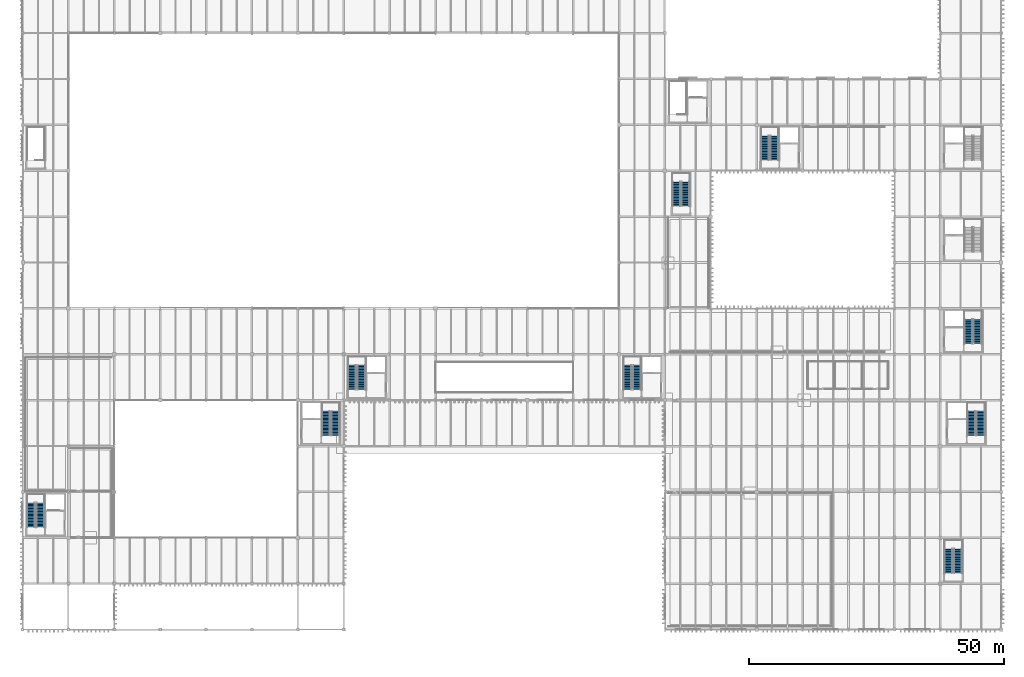
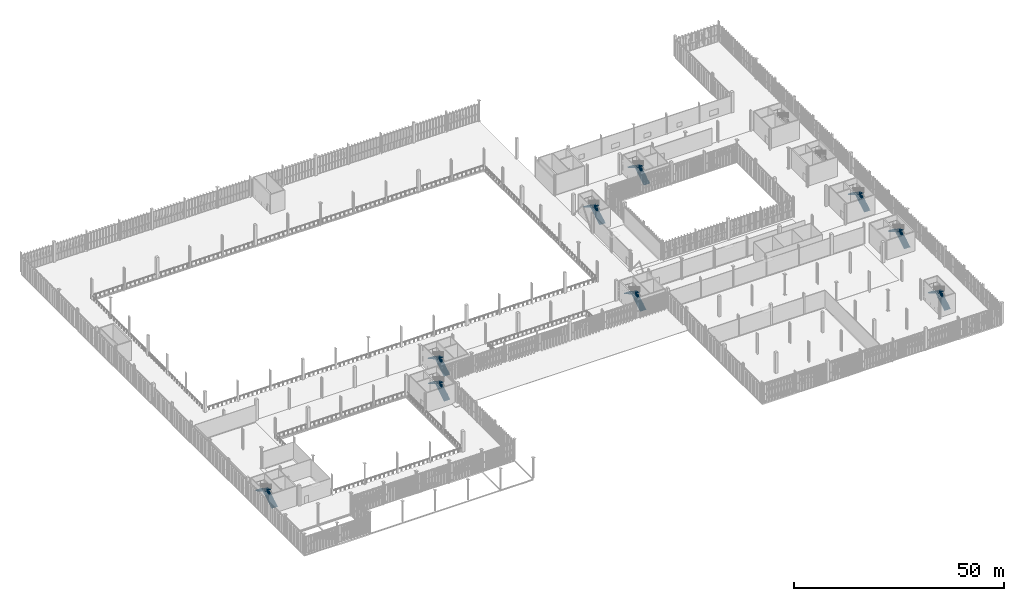
# One storey, part 184 of 211: 18 stair flights, 9 elements without a shape of their own.
"""IFC4 building model written with IfcOpenShell, lengths in metres."""

from ifc_helpers import new_model, si_unit, direction, frame, origin, place, context, subcontext, project, spatial, polyline, outline, extrude, material, type_object, element, aggregate, save


model = new_model("IFC4")

# Units and contexts
model_context = context("Model", 3, precision=1e-05, world=origin(), true_north=direction((0.0, 1.0)))
body_context = subcontext(model_context, "Body", "Model", "MODEL_VIEW")
ifc_project = project(units=[si_unit("LENGTHUNIT", "METRE"), si_unit("AREAUNIT", "SQUARE_METRE"), si_unit("VOLUMEUNIT", "CUBIC_METRE"), si_unit("PLANEANGLEUNIT", "RADIAN"), si_unit("MASSUNIT", "GRAM", prefix="KILO")], contexts=[model_context])

# Site, building, storey
site_placement = place(None, origin())
site = spatial("IfcSite", under=ifc_project, at=site_placement, CompositionType="ELEMENT")
building_placement = place(site_placement, origin())
building = spatial("IfcBuilding", under=site, at=building_placement, Name="Barlavento Convention Centre", CompositionType="ELEMENT")
storey_placement = place(building_placement, frame((0.0, 0.0, 6.0)))
storey = spatial("IfcBuildingStorey", under=building, at=storey_placement, Name="L01", CompositionType="ELEMENT", Elevation=6.0)

# Stair, stair flights
ifc_material = material(Name="Concrete C40/50", Category="concrete")
stair_type_1 = type_object("IfcStairType", Name="ARC-STR-DOG-1600", PredefinedType="HALF_TURN_STAIR", material=ifc_material)
stair_1_placement = place(storey_placement, origin())
stair_1 = element("IfcStair", 1, at=stair_1_placement, inside=storey, type_object=stair_type_1, Name="L01 ST12", PredefinedType="HALF_TURN_STAIR")
stair_flight_type_1 = type_object("IfcStairFlightType", Name="ARC-FLT-STR-1600", PredefinedType="STRAIGHT", material=ifc_material)
stair_flight_1_placement = place(storey_placement, frame((130.050048828125, 83.070068359375, 0.0), z_axis=(0.0, 0.0, 1.0), x_axis=(0.0, 1.0, 0.0)))
stair_flight_1 = element("IfcStairFlight", 2, at=stair_flight_1_placement, type_object=stair_flight_type_1, Name="ST12 flight 1", NumberOfRisers=18, NumberOfTreads=17, PredefinedType="STRAIGHT", RiserHeight=0.166666667, TreadLength=0.28, context=body_context, shape_type="SweptSolid", body=[
    extrude(outline(polyline([(0.0, 0.0), (0.0, 0.166748046875), (0.280029296875, 0.166748046875), (0.280029296875, 0.333251953125), (0.56005859375, 0.333251953125), (0.56005859375, 0.5), (0.840087890625, 0.5), (0.840087890625, 0.666748046875), (1.1201171875, 0.666748046875), (1.1201171875, 0.833251953125), (1.39990234375, 0.833251953125), (1.39990234375, 1.0), (1.679931640625, 1.0), (1.679931640625, 1.166748046875), (1.9599609375, 1.166748046875), (1.9599609375, 1.333251953125), (2.239990234375, 1.333251953125), (2.239990234375, 1.5), (2.52001953125, 1.5), (2.52001953125, 1.666748046875), (2.800048828125, 1.666748046875), (2.800048828125, 1.833251953125), (3.080078125, 1.833251953125), (3.080078125, 2.0), (3.360107421875, 2.0), (3.360107421875, 2.166748046875), (3.639892578125, 2.166748046875), (3.639892578125, 2.333251953125), (3.919921875, 2.333251953125), (3.919921875, 2.5), (4.199951171875, 2.5), (4.199951171875, 2.666748046875), (4.47998046875, 2.666748046875), (4.47998046875, 2.833251953125), (4.760009765625, 2.833251953125), (4.760009765625, 3.0), (4.760009765625, 2.658935546875), (0.29296875, 0.0), (0.0, 0.0)])), frame((0.0, 0.800048828125, 0.0), z_axis=(0.0, -1.0, 0.0), x_axis=(1.0, 0.0, 0.0)), (0.0, 0.0, 1.0), 1.60009765625),
])
stair_flight_2_placement = place(storey_placement, frame((128.25, 87.830078125, 3.0), z_axis=(0.0, 0.0, 1.0), x_axis=(0.0, -1.0, 0.0)))
stair_flight_2 = element("IfcStairFlight", 3, at=stair_flight_2_placement, type_object=stair_flight_type_1, Name="ST12 flight 2", NumberOfRisers=18, NumberOfTreads=17, PredefinedType="STRAIGHT", RiserHeight=0.166666667, TreadLength=0.28, context=body_context, shape_type="SweptSolid", body=[
    extrude(outline(polyline([(0.0, 0.0), (0.0, 0.166748046875), (0.280029296875, 0.166748046875), (0.280029296875, 0.333251953125), (0.56005859375, 0.333251953125), (0.56005859375, 0.5), (0.840087890625, 0.5), (0.840087890625, 0.666748046875), (1.1201171875, 0.666748046875), (1.1201171875, 0.833251953125), (1.39990234375, 0.833251953125), (1.39990234375, 1.0), (1.679931640625, 1.0), (1.679931640625, 1.166748046875), (1.9599609375, 1.166748046875), (1.9599609375, 1.333251953125), (2.239990234375, 1.333251953125), (2.239990234375, 1.5), (2.52001953125, 1.5), (2.52001953125, 1.666748046875), (2.800048828125, 1.666748046875), (2.800048828125, 1.833251953125), (3.080078125, 1.833251953125), (3.080078125, 2.0), (3.360107421875, 2.0), (3.360107421875, 2.166748046875), (3.639892578125, 2.166748046875), (3.639892578125, 2.333251953125), (3.919921875, 2.333251953125), (3.919921875, 2.5), (4.199951171875, 2.5), (4.199951171875, 2.666748046875), (4.47998046875, 2.666748046875), (4.47998046875, 2.833251953125), (4.760009765625, 2.833251953125), (4.760009765625, 3.0), (4.760009765625, 2.658935546875), (0.29296875, 0.0), (0.0, 0.0)])), frame((0.0, 0.800048828125, 0.0), z_axis=(0.0, -1.0, 0.0), x_axis=(1.0, 0.0, 0.0)), (0.0, 0.0, 1.0), 1.60009765625),
])
aggregate(stair_1, [stair_flight_1, stair_flight_2])

stair_type_2 = type_object("IfcStairType", Name="ARC-STR-DOG-1620", PredefinedType="HALF_TURN_STAIR", material=ifc_material)
stair_2_placement = place(storey_placement, origin())
stair_2 = element("IfcStair", 4, at=stair_2_placement, inside=storey, type_object=stair_type_2, Name="L01 ST01", PredefinedType="HALF_TURN_STAIR")
stair_flight_type_2 = type_object("IfcStairFlightType", Name="ARC-FLT-STR-1620", PredefinedType="STRAIGHT", material=ifc_material)
stair_flight_3_placement = place(storey_placement, frame((3.47998046875, 20.090087890625, 0.0), z_axis=(0.0, 0.0, 1.0), x_axis=(0.0, 1.0, 0.0)))
stair_flight_3 = element("IfcStairFlight", 5, at=stair_flight_3_placement, type_object=stair_flight_type_2, Name="ST01 flight 1", NumberOfRisers=18, NumberOfTreads=17, PredefinedType="STRAIGHT", RiserHeight=0.166666667, TreadLength=0.28, context=body_context, shape_type="SweptSolid", body=[
    extrude(outline(polyline([(0.0, 0.0), (0.0, 0.166748046875), (0.280029296875, 0.166748046875), (0.280029296875, 0.333251953125), (0.56005859375, 0.333251953125), (0.56005859375, 0.5), (0.840087890625, 0.5), (0.840087890625, 0.666748046875), (1.1201171875, 0.666748046875), (1.1201171875, 0.833251953125), (1.39990234375, 0.833251953125), (1.39990234375, 1.0), (1.679931640625, 1.0), (1.679931640625, 1.166748046875), (1.9599609375, 1.166748046875), (1.9599609375, 1.333251953125), (2.239990234375, 1.333251953125), (2.239990234375, 1.5), (2.52001953125, 1.5), (2.52001953125, 1.666748046875), (2.800048828125, 1.666748046875), (2.800048828125, 1.833251953125), (3.080078125, 1.833251953125), (3.080078125, 2.0), (3.360107421875, 2.0), (3.360107421875, 2.166748046875), (3.639892578125, 2.166748046875), (3.639892578125, 2.333251953125), (3.919921875, 2.333251953125), (3.919921875, 2.5), (4.199951171875, 2.5), (4.199951171875, 2.666748046875), (4.47998046875, 2.666748046875), (4.47998046875, 2.833251953125), (4.760009765625, 2.833251953125), (4.760009765625, 3.0), (4.760009765625, 2.658935546875), (0.29296875, 0.0), (0.0, 0.0)])), frame((0.0, 0.81005859375, 0.0), z_axis=(0.0, -1.0, 0.0), x_axis=(1.0, 0.0, 0.0)), (0.0, 0.0, 1.0), 1.6201171875),
])
stair_flight_4_placement = place(storey_placement, frame((1.659912109375, 24.85009765625, 3.0), z_axis=(0.0, 0.0, 1.0), x_axis=(0.0, -1.0, 0.0)))
stair_flight_4 = element("IfcStairFlight", 6, at=stair_flight_4_placement, type_object=stair_flight_type_2, Name="ST01 flight 2", NumberOfRisers=18, NumberOfTreads=17, PredefinedType="STRAIGHT", RiserHeight=0.166666667, TreadLength=0.28, context=body_context, shape_type="SweptSolid", body=[
    extrude(outline(polyline([(0.0, 0.0), (0.0, 0.166748046875), (0.280029296875, 0.166748046875), (0.280029296875, 0.333251953125), (0.56005859375, 0.333251953125), (0.56005859375, 0.5), (0.840087890625, 0.5), (0.840087890625, 0.666748046875), (1.1201171875, 0.666748046875), (1.1201171875, 0.833251953125), (1.39990234375, 0.833251953125), (1.39990234375, 1.0), (1.679931640625, 1.0), (1.679931640625, 1.166748046875), (1.9599609375, 1.166748046875), (1.9599609375, 1.333251953125), (2.239990234375, 1.333251953125), (2.239990234375, 1.5), (2.52001953125, 1.5), (2.52001953125, 1.666748046875), (2.800048828125, 1.666748046875), (2.800048828125, 1.833251953125), (3.080078125, 1.833251953125), (3.080078125, 2.0), (3.360107421875, 2.0), (3.360107421875, 2.166748046875), (3.639892578125, 2.166748046875), (3.639892578125, 2.333251953125), (3.919921875, 2.333251953125), (3.919921875, 2.5), (4.199951171875, 2.5), (4.199951171875, 2.666748046875), (4.47998046875, 2.666748046875), (4.47998046875, 2.833251953125), (4.760009765625, 2.833251953125), (4.760009765625, 3.0), (4.760009765625, 2.658935546875), (0.29296875, 0.0), (0.0, 0.0)])), frame((0.0, 0.81005859375, 0.0), z_axis=(0.0, -1.0, 0.0), x_axis=(1.0, 0.0, 0.0)), (0.0, 0.0, 1.0), 1.6201171875),
])
aggregate(stair_2, [stair_flight_3, stair_flight_4])

stair_3_placement = place(storey_placement, origin())
stair_3 = element("IfcStair", 7, at=stair_3_placement, inside=storey, type_object=stair_type_2, Name="L01 ST02", PredefinedType="HALF_TURN_STAIR")
stair_flight_5_placement = place(storey_placement, frame((61.340087890625, 38.090087890625, 0.0), z_axis=(0.0, 0.0, 1.0), x_axis=(0.0, 1.0, 0.0)))
stair_flight_5 = element("IfcStairFlight", 8, at=stair_flight_5_placement, type_object=stair_flight_type_2, Name="ST02 flight 1", NumberOfRisers=18, NumberOfTreads=17, PredefinedType="STRAIGHT", RiserHeight=0.166666667, TreadLength=0.28, context=body_context, shape_type="SweptSolid", body=[
    extrude(outline(polyline([(0.0, 0.0), (0.0, 0.166748046875), (0.280029296875, 0.166748046875), (0.280029296875, 0.333251953125), (0.56005859375, 0.333251953125), (0.56005859375, 0.5), (0.840087890625, 0.5), (0.840087890625, 0.666748046875), (1.1201171875, 0.666748046875), (1.1201171875, 0.833251953125), (1.39990234375, 0.833251953125), (1.39990234375, 1.0), (1.679931640625, 1.0), (1.679931640625, 1.166748046875), (1.9599609375, 1.166748046875), (1.9599609375, 1.333251953125), (2.239990234375, 1.333251953125), (2.239990234375, 1.5), (2.52001953125, 1.5), (2.52001953125, 1.666748046875), (2.800048828125, 1.666748046875), (2.800048828125, 1.833251953125), (3.080078125, 1.833251953125), (3.080078125, 2.0), (3.360107421875, 2.0), (3.360107421875, 2.166748046875), (3.639892578125, 2.166748046875), (3.639892578125, 2.333251953125), (3.919921875, 2.333251953125), (3.919921875, 2.5), (4.199951171875, 2.5), (4.199951171875, 2.666748046875), (4.47998046875, 2.666748046875), (4.47998046875, 2.833251953125), (4.760009765625, 2.833251953125), (4.760009765625, 3.0), (4.760009765625, 2.658935546875), (0.29296875, 0.0), (0.0, 0.0)])), frame((0.0, 0.81005859375, 0.0), z_axis=(0.0, -1.0, 0.0), x_axis=(1.0, 0.0, 0.0)), (0.0, 0.0, 1.0), 1.6201171875),
])
stair_flight_6_placement = place(storey_placement, frame((59.52001953125, 42.85009765625, 3.0), z_axis=(0.0, 0.0, 1.0), x_axis=(0.0, -1.0, 0.0)))
stair_flight_6 = element("IfcStairFlight", 9, at=stair_flight_6_placement, type_object=stair_flight_type_2, Name="ST02 flight 2", NumberOfRisers=18, NumberOfTreads=17, PredefinedType="STRAIGHT", RiserHeight=0.166666667, TreadLength=0.28, context=body_context, shape_type="SweptSolid", body=[
    extrude(outline(polyline([(0.0, 0.0), (0.0, 0.166748046875), (0.280029296875, 0.166748046875), (0.280029296875, 0.333251953125), (0.56005859375, 0.333251953125), (0.56005859375, 0.5), (0.840087890625, 0.5), (0.840087890625, 0.666748046875), (1.1201171875, 0.666748046875), (1.1201171875, 0.833251953125), (1.39990234375, 0.833251953125), (1.39990234375, 1.0), (1.679931640625, 1.0), (1.679931640625, 1.166748046875), (1.9599609375, 1.166748046875), (1.9599609375, 1.333251953125), (2.239990234375, 1.333251953125), (2.239990234375, 1.5), (2.52001953125, 1.5), (2.52001953125, 1.666748046875), (2.800048828125, 1.666748046875), (2.800048828125, 1.833251953125), (3.080078125, 1.833251953125), (3.080078125, 2.0), (3.360107421875, 2.0), (3.360107421875, 2.166748046875), (3.639892578125, 2.166748046875), (3.639892578125, 2.333251953125), (3.919921875, 2.333251953125), (3.919921875, 2.5), (4.199951171875, 2.5), (4.199951171875, 2.666748046875), (4.47998046875, 2.666748046875), (4.47998046875, 2.833251953125), (4.760009765625, 2.833251953125), (4.760009765625, 3.0), (4.760009765625, 2.658935546875), (0.29296875, 0.0), (0.0, 0.0)])), frame((0.0, 0.81005859375, 0.0), z_axis=(0.0, -1.0, 0.0), x_axis=(1.0, 0.0, 0.0)), (0.0, 0.0, 1.0), 1.6201171875),
])
aggregate(stair_3, [stair_flight_5, stair_flight_6])

stair_4_placement = place(storey_placement, origin())
stair_4 = element("IfcStair", 10, at=stair_4_placement, inside=storey, type_object=stair_type_2, Name="L01 ST03", PredefinedType="HALF_TURN_STAIR")
stair_flight_7_placement = place(storey_placement, frame((66.47998046875, 47.090087890625, 0.0), z_axis=(0.0, 0.0, 1.0), x_axis=(0.0, 1.0, 0.0)))
stair_flight_7 = element("IfcStairFlight", 11, at=stair_flight_7_placement, type_object=stair_flight_type_2, Name="ST03 flight 1", NumberOfRisers=18, NumberOfTreads=17, PredefinedType="STRAIGHT", RiserHeight=0.166666667, TreadLength=0.28, context=body_context, shape_type="SweptSolid", body=[
    extrude(outline(polyline([(0.0, 0.0), (0.0, 0.166748046875), (0.280029296875, 0.166748046875), (0.280029296875, 0.333251953125), (0.56005859375, 0.333251953125), (0.56005859375, 0.5), (0.840087890625, 0.5), (0.840087890625, 0.666748046875), (1.1201171875, 0.666748046875), (1.1201171875, 0.833251953125), (1.39990234375, 0.833251953125), (1.39990234375, 1.0), (1.679931640625, 1.0), (1.679931640625, 1.166748046875), (1.9599609375, 1.166748046875), (1.9599609375, 1.333251953125), (2.239990234375, 1.333251953125), (2.239990234375, 1.5), (2.52001953125, 1.5), (2.52001953125, 1.666748046875), (2.800048828125, 1.666748046875), (2.800048828125, 1.833251953125), (3.080078125, 1.833251953125), (3.080078125, 2.0), (3.360107421875, 2.0), (3.360107421875, 2.166748046875), (3.639892578125, 2.166748046875), (3.639892578125, 2.333251953125), (3.919921875, 2.333251953125), (3.919921875, 2.5), (4.199951171875, 2.5), (4.199951171875, 2.666748046875), (4.47998046875, 2.666748046875), (4.47998046875, 2.833251953125), (4.760009765625, 2.833251953125), (4.760009765625, 3.0), (4.760009765625, 2.658935546875), (0.29296875, 0.0), (0.0, 0.0)])), frame((0.0, 0.81005859375, 0.0), z_axis=(0.0, -1.0, 0.0), x_axis=(1.0, 0.0, 0.0)), (0.0, 0.0, 1.0), 1.6201171875),
])
stair_flight_8_placement = place(storey_placement, frame((64.659912109375, 51.85009765625, 3.0), z_axis=(0.0, 0.0, 1.0), x_axis=(0.0, -1.0, 0.0)))
stair_flight_8 = element("IfcStairFlight", 12, at=stair_flight_8_placement, type_object=stair_flight_type_2, Name="ST03 flight 2", NumberOfRisers=18, NumberOfTreads=17, PredefinedType="STRAIGHT", RiserHeight=0.166666667, TreadLength=0.28, context=body_context, shape_type="SweptSolid", body=[
    extrude(outline(polyline([(0.0, 0.0), (0.0, 0.166748046875), (0.280029296875, 0.166748046875), (0.280029296875, 0.333251953125), (0.56005859375, 0.333251953125), (0.56005859375, 0.5), (0.840087890625, 0.5), (0.840087890625, 0.666748046875), (1.1201171875, 0.666748046875), (1.1201171875, 0.833251953125), (1.39990234375, 0.833251953125), (1.39990234375, 1.0), (1.679931640625, 1.0), (1.679931640625, 1.166748046875), (1.9599609375, 1.166748046875), (1.9599609375, 1.333251953125), (2.239990234375, 1.333251953125), (2.239990234375, 1.5), (2.52001953125, 1.5), (2.52001953125, 1.666748046875), (2.800048828125, 1.666748046875), (2.800048828125, 1.833251953125), (3.080078125, 1.833251953125), (3.080078125, 2.0), (3.360107421875, 2.0), (3.360107421875, 2.166748046875), (3.639892578125, 2.166748046875), (3.639892578125, 2.333251953125), (3.919921875, 2.333251953125), (3.919921875, 2.5), (4.199951171875, 2.5), (4.199951171875, 2.666748046875), (4.47998046875, 2.666748046875), (4.47998046875, 2.833251953125), (4.760009765625, 2.833251953125), (4.760009765625, 3.0), (4.760009765625, 2.658935546875), (0.29296875, 0.0), (0.0, 0.0)])), frame((0.0, 0.81005859375, 0.0), z_axis=(0.0, -1.0, 0.0), x_axis=(1.0, 0.0, 0.0)), (0.0, 0.0, 1.0), 1.6201171875),
])
aggregate(stair_4, [stair_flight_7, stair_flight_8])

stair_5_placement = place(storey_placement, origin())
stair_5 = element("IfcStair", 13, at=stair_5_placement, inside=storey, type_object=stair_type_2, Name="L01 ST04", PredefinedType="HALF_TURN_STAIR")
stair_flight_9_placement = place(storey_placement, frame((120.47998046875, 47.090087890625, 0.0), z_axis=(0.0, 0.0, 1.0), x_axis=(0.0, 1.0, 0.0)))
stair_flight_9 = element("IfcStairFlight", 14, at=stair_flight_9_placement, type_object=stair_flight_type_2, Name="ST04 flight 1", NumberOfRisers=18, NumberOfTreads=17, PredefinedType="STRAIGHT", RiserHeight=0.166666667, TreadLength=0.28, context=body_context, shape_type="SweptSolid", body=[
    extrude(outline(polyline([(0.0, 0.0), (0.0, 0.166748046875), (0.280029296875, 0.166748046875), (0.280029296875, 0.333251953125), (0.56005859375, 0.333251953125), (0.56005859375, 0.5), (0.840087890625, 0.5), (0.840087890625, 0.666748046875), (1.1201171875, 0.666748046875), (1.1201171875, 0.833251953125), (1.39990234375, 0.833251953125), (1.39990234375, 1.0), (1.679931640625, 1.0), (1.679931640625, 1.166748046875), (1.9599609375, 1.166748046875), (1.9599609375, 1.333251953125), (2.239990234375, 1.333251953125), (2.239990234375, 1.5), (2.52001953125, 1.5), (2.52001953125, 1.666748046875), (2.800048828125, 1.666748046875), (2.800048828125, 1.833251953125), (3.080078125, 1.833251953125), (3.080078125, 2.0), (3.360107421875, 2.0), (3.360107421875, 2.166748046875), (3.639892578125, 2.166748046875), (3.639892578125, 2.333251953125), (3.919921875, 2.333251953125), (3.919921875, 2.5), (4.199951171875, 2.5), (4.199951171875, 2.666748046875), (4.47998046875, 2.666748046875), (4.47998046875, 2.833251953125), (4.760009765625, 2.833251953125), (4.760009765625, 3.0), (4.760009765625, 2.658935546875), (0.29296875, 0.0), (0.0, 0.0)])), frame((0.0, 0.81005859375, 0.0), z_axis=(0.0, -1.0, 0.0), x_axis=(1.0, 0.0, 0.0)), (0.0, 0.0, 1.0), 1.6201171875),
])
stair_flight_10_placement = place(storey_placement, frame((118.659912109375, 51.85009765625, 3.0), z_axis=(0.0, 0.0, 1.0), x_axis=(0.0, -1.0, 0.0)))
stair_flight_10 = element("IfcStairFlight", 15, at=stair_flight_10_placement, type_object=stair_flight_type_2, Name="ST04 flight 2", NumberOfRisers=18, NumberOfTreads=17, PredefinedType="STRAIGHT", RiserHeight=0.166666667, TreadLength=0.28, context=body_context, shape_type="SweptSolid", body=[
    extrude(outline(polyline([(0.0, 0.0), (0.0, 0.166748046875), (0.280029296875, 0.166748046875), (0.280029296875, 0.333251953125), (0.56005859375, 0.333251953125), (0.56005859375, 0.5), (0.840087890625, 0.5), (0.840087890625, 0.666748046875), (1.1201171875, 0.666748046875), (1.1201171875, 0.833251953125), (1.39990234375, 0.833251953125), (1.39990234375, 1.0), (1.679931640625, 1.0), (1.679931640625, 1.166748046875), (1.9599609375, 1.166748046875), (1.9599609375, 1.333251953125), (2.239990234375, 1.333251953125), (2.239990234375, 1.5), (2.52001953125, 1.5), (2.52001953125, 1.666748046875), (2.800048828125, 1.666748046875), (2.800048828125, 1.833251953125), (3.080078125, 1.833251953125), (3.080078125, 2.0), (3.360107421875, 2.0), (3.360107421875, 2.166748046875), (3.639892578125, 2.166748046875), (3.639892578125, 2.333251953125), (3.919921875, 2.333251953125), (3.919921875, 2.5), (4.199951171875, 2.5), (4.199951171875, 2.666748046875), (4.47998046875, 2.666748046875), (4.47998046875, 2.833251953125), (4.760009765625, 2.833251953125), (4.760009765625, 3.0), (4.760009765625, 2.658935546875), (0.29296875, 0.0), (0.0, 0.0)])), frame((0.0, 0.81005859375, 0.0), z_axis=(0.0, -1.0, 0.0), x_axis=(1.0, 0.0, 0.0)), (0.0, 0.0, 1.0), 1.6201171875),
])
aggregate(stair_5, [stair_flight_9, stair_flight_10])

stair_6_placement = place(storey_placement, origin())
stair_6 = element("IfcStair", 16, at=stair_6_placement, inside=storey, type_object=stair_type_2, Name="L01 ST05", PredefinedType="HALF_TURN_STAIR")
stair_flight_11_placement = place(storey_placement, frame((187.340087890625, 56.090087890625, 0.0), z_axis=(0.0, 0.0, 1.0), x_axis=(0.0, 1.0, 0.0)))
stair_flight_11 = element("IfcStairFlight", 17, at=stair_flight_11_placement, type_object=stair_flight_type_2, Name="ST05 flight 1", NumberOfRisers=18, NumberOfTreads=17, PredefinedType="STRAIGHT", RiserHeight=0.166666667, TreadLength=0.28, context=body_context, shape_type="SweptSolid", body=[
    extrude(outline(polyline([(0.0, 0.0), (0.0, 0.166748046875), (0.280029296875, 0.166748046875), (0.280029296875, 0.333251953125), (0.56005859375, 0.333251953125), (0.56005859375, 0.5), (0.840087890625, 0.5), (0.840087890625, 0.666748046875), (1.1201171875, 0.666748046875), (1.1201171875, 0.833251953125), (1.39990234375, 0.833251953125), (1.39990234375, 1.0), (1.679931640625, 1.0), (1.679931640625, 1.166748046875), (1.9599609375, 1.166748046875), (1.9599609375, 1.333251953125), (2.239990234375, 1.333251953125), (2.239990234375, 1.5), (2.52001953125, 1.5), (2.52001953125, 1.666748046875), (2.800048828125, 1.666748046875), (2.800048828125, 1.833251953125), (3.080078125, 1.833251953125), (3.080078125, 2.0), (3.360107421875, 2.0), (3.360107421875, 2.166748046875), (3.639892578125, 2.166748046875), (3.639892578125, 2.333251953125), (3.919921875, 2.333251953125), (3.919921875, 2.5), (4.199951171875, 2.5), (4.199951171875, 2.666748046875), (4.47998046875, 2.666748046875), (4.47998046875, 2.833251953125), (4.760009765625, 2.833251953125), (4.760009765625, 3.0), (4.760009765625, 2.658935546875), (0.29296875, 0.0), (0.0, 0.0)])), frame((0.0, 0.81005859375, 0.0), z_axis=(0.0, -1.0, 0.0), x_axis=(1.0, 0.0, 0.0)), (0.0, 0.0, 1.0), 1.6201171875),
])
stair_flight_12_placement = place(storey_placement, frame((185.52001953125, 60.85009765625, 3.0), z_axis=(0.0, 0.0, 1.0), x_axis=(0.0, -1.0, 0.0)))
stair_flight_12 = element("IfcStairFlight", 18, at=stair_flight_12_placement, type_object=stair_flight_type_2, Name="ST05 flight 2", NumberOfRisers=18, NumberOfTreads=17, PredefinedType="STRAIGHT", RiserHeight=0.166666667, TreadLength=0.28, context=body_context, shape_type="SweptSolid", body=[
    extrude(outline(polyline([(0.0, 0.0), (0.0, 0.166748046875), (0.280029296875, 0.166748046875), (0.280029296875, 0.333251953125), (0.56005859375, 0.333251953125), (0.56005859375, 0.5), (0.840087890625, 0.5), (0.840087890625, 0.666748046875), (1.1201171875, 0.666748046875), (1.1201171875, 0.833251953125), (1.39990234375, 0.833251953125), (1.39990234375, 1.0), (1.679931640625, 1.0), (1.679931640625, 1.166748046875), (1.9599609375, 1.166748046875), (1.9599609375, 1.333251953125), (2.239990234375, 1.333251953125), (2.239990234375, 1.5), (2.52001953125, 1.5), (2.52001953125, 1.666748046875), (2.800048828125, 1.666748046875), (2.800048828125, 1.833251953125), (3.080078125, 1.833251953125), (3.080078125, 2.0), (3.360107421875, 2.0), (3.360107421875, 2.166748046875), (3.639892578125, 2.166748046875), (3.639892578125, 2.333251953125), (3.919921875, 2.333251953125), (3.919921875, 2.5), (4.199951171875, 2.5), (4.199951171875, 2.666748046875), (4.47998046875, 2.666748046875), (4.47998046875, 2.833251953125), (4.760009765625, 2.833251953125), (4.760009765625, 3.0), (4.760009765625, 2.658935546875), (0.29296875, 0.0), (0.0, 0.0)])), frame((0.0, 0.81005859375, 0.0), z_axis=(0.0, -1.0, 0.0), x_axis=(1.0, 0.0, 0.0)), (0.0, 0.0, 1.0), 1.6201171875),
])
aggregate(stair_6, [stair_flight_11, stair_flight_12])

stair_7_placement = place(storey_placement, origin())
stair_7 = element("IfcStair", 19, at=stair_7_placement, inside=storey, type_object=stair_type_2, Name="L01 ST06", PredefinedType="HALF_TURN_STAIR")
stair_flight_13_placement = place(storey_placement, frame((187.93994140625, 38.090087890625, 0.0), z_axis=(0.0, 0.0, 1.0), x_axis=(0.0, 1.0, 0.0)))
stair_flight_13 = element("IfcStairFlight", 20, at=stair_flight_13_placement, type_object=stair_flight_type_2, Name="ST06 flight 1", NumberOfRisers=18, NumberOfTreads=17, PredefinedType="STRAIGHT", RiserHeight=0.166666667, TreadLength=0.28, context=body_context, shape_type="SweptSolid", body=[
    extrude(outline(polyline([(0.0, 0.0), (0.0, 0.166748046875), (0.280029296875, 0.166748046875), (0.280029296875, 0.333251953125), (0.56005859375, 0.333251953125), (0.56005859375, 0.5), (0.840087890625, 0.5), (0.840087890625, 0.666748046875), (1.1201171875, 0.666748046875), (1.1201171875, 0.833251953125), (1.39990234375, 0.833251953125), (1.39990234375, 1.0), (1.679931640625, 1.0), (1.679931640625, 1.166748046875), (1.9599609375, 1.166748046875), (1.9599609375, 1.333251953125), (2.239990234375, 1.333251953125), (2.239990234375, 1.5), (2.52001953125, 1.5), (2.52001953125, 1.666748046875), (2.800048828125, 1.666748046875), (2.800048828125, 1.833251953125), (3.080078125, 1.833251953125), (3.080078125, 2.0), (3.360107421875, 2.0), (3.360107421875, 2.166748046875), (3.639892578125, 2.166748046875), (3.639892578125, 2.333251953125), (3.919921875, 2.333251953125), (3.919921875, 2.5), (4.199951171875, 2.5), (4.199951171875, 2.666748046875), (4.47998046875, 2.666748046875), (4.47998046875, 2.833251953125), (4.760009765625, 2.833251953125), (4.760009765625, 3.0), (4.760009765625, 2.658935546875), (0.29296875, 0.0), (0.0, 0.0)])), frame((0.0, 0.81005859375, 0.0), z_axis=(0.0, -1.0, 0.0), x_axis=(1.0, 0.0, 0.0)), (0.0, 0.0, 1.0), 1.6201171875),
])
stair_flight_14_placement = place(storey_placement, frame((186.1201171875, 42.85009765625, 3.0), z_axis=(0.0, 0.0, 1.0), x_axis=(0.0, -1.0, 0.0)))
stair_flight_14 = element("IfcStairFlight", 21, at=stair_flight_14_placement, type_object=stair_flight_type_2, Name="ST06 flight 2", NumberOfRisers=18, NumberOfTreads=17, PredefinedType="STRAIGHT", RiserHeight=0.166666667, TreadLength=0.28, context=body_context, shape_type="SweptSolid", body=[
    extrude(outline(polyline([(0.0, 0.0), (0.0, 0.166748046875), (0.280029296875, 0.166748046875), (0.280029296875, 0.333251953125), (0.56005859375, 0.333251953125), (0.56005859375, 0.5), (0.840087890625, 0.5), (0.840087890625, 0.666748046875), (1.1201171875, 0.666748046875), (1.1201171875, 0.833251953125), (1.39990234375, 0.833251953125), (1.39990234375, 1.0), (1.679931640625, 1.0), (1.679931640625, 1.166748046875), (1.9599609375, 1.166748046875), (1.9599609375, 1.333251953125), (2.239990234375, 1.333251953125), (2.239990234375, 1.5), (2.52001953125, 1.5), (2.52001953125, 1.666748046875), (2.800048828125, 1.666748046875), (2.800048828125, 1.833251953125), (3.080078125, 1.833251953125), (3.080078125, 2.0), (3.360107421875, 2.0), (3.360107421875, 2.166748046875), (3.639892578125, 2.166748046875), (3.639892578125, 2.333251953125), (3.919921875, 2.333251953125), (3.919921875, 2.5), (4.199951171875, 2.5), (4.199951171875, 2.666748046875), (4.47998046875, 2.666748046875), (4.47998046875, 2.833251953125), (4.760009765625, 2.833251953125), (4.760009765625, 3.0), (4.760009765625, 2.658935546875), (0.29296875, 0.0), (0.0, 0.0)])), frame((0.0, 0.81005859375, 0.0), z_axis=(0.0, -1.0, 0.0), x_axis=(1.0, 0.0, 0.0)), (0.0, 0.0, 1.0), 1.6201171875),
])
aggregate(stair_7, [stair_flight_13, stair_flight_14])

stair_8_placement = place(storey_placement, origin())
stair_8 = element("IfcStair", 22, at=stair_8_placement, inside=storey, type_object=stair_type_2, Name="L01 ST09", PredefinedType="HALF_TURN_STAIR")
stair_flight_15_placement = place(storey_placement, frame((147.47998046875, 92.090087890625, 0.0), z_axis=(0.0, 0.0, 1.0), x_axis=(0.0, 1.0, 0.0)))
stair_flight_15 = element("IfcStairFlight", 23, at=stair_flight_15_placement, type_object=stair_flight_type_2, Name="ST09 flight 1", NumberOfRisers=18, NumberOfTreads=17, PredefinedType="STRAIGHT", RiserHeight=0.166666667, TreadLength=0.28, context=body_context, shape_type="SweptSolid", body=[
    extrude(outline(polyline([(0.0, 0.0), (0.0, 0.166748046875), (0.280029296875, 0.166748046875), (0.280029296875, 0.333251953125), (0.56005859375, 0.333251953125), (0.56005859375, 0.5), (0.840087890625, 0.5), (0.840087890625, 0.666748046875), (1.1201171875, 0.666748046875), (1.1201171875, 0.833251953125), (1.39990234375, 0.833251953125), (1.39990234375, 1.0), (1.679931640625, 1.0), (1.679931640625, 1.166748046875), (1.9599609375, 1.166748046875), (1.9599609375, 1.333251953125), (2.239990234375, 1.333251953125), (2.239990234375, 1.5), (2.52001953125, 1.5), (2.52001953125, 1.666748046875), (2.800048828125, 1.666748046875), (2.800048828125, 1.833251953125), (3.080078125, 1.833251953125), (3.080078125, 2.0), (3.360107421875, 2.0), (3.360107421875, 2.166748046875), (3.639892578125, 2.166748046875), (3.639892578125, 2.333251953125), (3.919921875, 2.333251953125), (3.919921875, 2.5), (4.199951171875, 2.5), (4.199951171875, 2.666748046875), (4.47998046875, 2.666748046875), (4.47998046875, 2.833251953125), (4.760009765625, 2.833251953125), (4.760009765625, 3.0), (4.760009765625, 2.658935546875), (0.29296875, 0.0), (0.0, 0.0)])), frame((0.0, 0.81005859375, 0.0), z_axis=(0.0, -1.0, 0.0), x_axis=(1.0, 0.0, 0.0)), (0.0, 0.0, 1.0), 1.6201171875),
])
stair_flight_16_placement = place(storey_placement, frame((145.659912109375, 96.85009765625, 3.0), z_axis=(0.0, 0.0, 1.0), x_axis=(0.0, -1.0, 0.0)))
stair_flight_16 = element("IfcStairFlight", 24, at=stair_flight_16_placement, type_object=stair_flight_type_2, Name="ST09 flight 2", NumberOfRisers=18, NumberOfTreads=17, PredefinedType="STRAIGHT", RiserHeight=0.166666667, TreadLength=0.28, context=body_context, shape_type="SweptSolid", body=[
    extrude(outline(polyline([(0.0, 0.0), (0.0, 0.166748046875), (0.280029296875, 0.166748046875), (0.280029296875, 0.333251953125), (0.56005859375, 0.333251953125), (0.56005859375, 0.5), (0.840087890625, 0.5), (0.840087890625, 0.666748046875), (1.1201171875, 0.666748046875), (1.1201171875, 0.833251953125), (1.39990234375, 0.833251953125), (1.39990234375, 1.0), (1.679931640625, 1.0), (1.679931640625, 1.166748046875), (1.9599609375, 1.166748046875), (1.9599609375, 1.333251953125), (2.239990234375, 1.333251953125), (2.239990234375, 1.5), (2.52001953125, 1.5), (2.52001953125, 1.666748046875), (2.800048828125, 1.666748046875), (2.800048828125, 1.833251953125), (3.080078125, 1.833251953125), (3.080078125, 2.0), (3.360107421875, 2.0), (3.360107421875, 2.166748046875), (3.639892578125, 2.166748046875), (3.639892578125, 2.333251953125), (3.919921875, 2.333251953125), (3.919921875, 2.5), (4.199951171875, 2.5), (4.199951171875, 2.666748046875), (4.47998046875, 2.666748046875), (4.47998046875, 2.833251953125), (4.760009765625, 2.833251953125), (4.760009765625, 3.0), (4.760009765625, 2.658935546875), (0.29296875, 0.0), (0.0, 0.0)])), frame((0.0, 0.81005859375, 0.0), z_axis=(0.0, -1.0, 0.0), x_axis=(1.0, 0.0, 0.0)), (0.0, 0.0, 1.0), 1.6201171875),
])
aggregate(stair_8, [stair_flight_15, stair_flight_16])

stair_9_placement = place(storey_placement, origin())
stair_9 = element("IfcStair", 25, at=stair_9_placement, inside=storey, type_object=stair_type_2, Name="L01 ST14", PredefinedType="HALF_TURN_STAIR")
stair_flight_17_placement = place(storey_placement, frame((183.47998046875, 11.090087890625, 0.0), z_axis=(0.0, 0.0, 1.0), x_axis=(0.0, 1.0, 0.0)))
stair_flight_17 = element("IfcStairFlight", 26, at=stair_flight_17_placement, type_object=stair_flight_type_2, Name="ST14 flight 1", NumberOfRisers=18, NumberOfTreads=17, PredefinedType="STRAIGHT", RiserHeight=0.166666667, TreadLength=0.28, context=body_context, shape_type="SweptSolid", body=[
    extrude(outline(polyline([(0.0, 0.0), (0.0, 0.166748046875), (0.280029296875, 0.166748046875), (0.280029296875, 0.333251953125), (0.56005859375, 0.333251953125), (0.56005859375, 0.5), (0.840087890625, 0.5), (0.840087890625, 0.666748046875), (1.1201171875, 0.666748046875), (1.1201171875, 0.833251953125), (1.39990234375, 0.833251953125), (1.39990234375, 1.0), (1.679931640625, 1.0), (1.679931640625, 1.166748046875), (1.9599609375, 1.166748046875), (1.9599609375, 1.333251953125), (2.239990234375, 1.333251953125), (2.239990234375, 1.5), (2.52001953125, 1.5), (2.52001953125, 1.666748046875), (2.800048828125, 1.666748046875), (2.800048828125, 1.833251953125), (3.080078125, 1.833251953125), (3.080078125, 2.0), (3.360107421875, 2.0), (3.360107421875, 2.166748046875), (3.639892578125, 2.166748046875), (3.639892578125, 2.333251953125), (3.919921875, 2.333251953125), (3.919921875, 2.5), (4.199951171875, 2.5), (4.199951171875, 2.666748046875), (4.47998046875, 2.666748046875), (4.47998046875, 2.833251953125), (4.760009765625, 2.833251953125), (4.760009765625, 3.0), (4.760009765625, 2.658935546875), (0.29296875, 0.0), (0.0, 0.0)])), frame((0.0, 0.81005859375, 0.0), z_axis=(0.0, -1.0, 0.0), x_axis=(1.0, 0.0, 0.0)), (0.0, 0.0, 1.0), 1.6201171875),
])
stair_flight_18_placement = place(storey_placement, frame((181.659912109375, 15.85009765625, 3.0), z_axis=(0.0, 0.0, 1.0), x_axis=(0.0, -1.0, 0.0)))
stair_flight_18 = element("IfcStairFlight", 27, at=stair_flight_18_placement, type_object=stair_flight_type_2, Name="ST14 flight 2", NumberOfRisers=18, NumberOfTreads=17, PredefinedType="STRAIGHT", RiserHeight=0.166666667, TreadLength=0.28, context=body_context, shape_type="SweptSolid", body=[
    extrude(outline(polyline([(0.0, 0.0), (0.0, 0.166748046875), (0.280029296875, 0.166748046875), (0.280029296875, 0.333251953125), (0.56005859375, 0.333251953125), (0.56005859375, 0.5), (0.840087890625, 0.5), (0.840087890625, 0.666748046875), (1.1201171875, 0.666748046875), (1.1201171875, 0.833251953125), (1.39990234375, 0.833251953125), (1.39990234375, 1.0), (1.679931640625, 1.0), (1.679931640625, 1.166748046875), (1.9599609375, 1.166748046875), (1.9599609375, 1.333251953125), (2.239990234375, 1.333251953125), (2.239990234375, 1.5), (2.52001953125, 1.5), (2.52001953125, 1.666748046875), (2.800048828125, 1.666748046875), (2.800048828125, 1.833251953125), (3.080078125, 1.833251953125), (3.080078125, 2.0), (3.360107421875, 2.0), (3.360107421875, 2.166748046875), (3.639892578125, 2.166748046875), (3.639892578125, 2.333251953125), (3.919921875, 2.333251953125), (3.919921875, 2.5), (4.199951171875, 2.5), (4.199951171875, 2.666748046875), (4.47998046875, 2.666748046875), (4.47998046875, 2.833251953125), (4.760009765625, 2.833251953125), (4.760009765625, 3.0), (4.760009765625, 2.658935546875), (0.29296875, 0.0), (0.0, 0.0)])), frame((0.0, 0.81005859375, 0.0), z_axis=(0.0, -1.0, 0.0), x_axis=(1.0, 0.0, 0.0)), (0.0, 0.0, 1.0), 1.6201171875),
])
aggregate(stair_9, [stair_flight_17, stair_flight_18])

save(model, "model.ifc")
